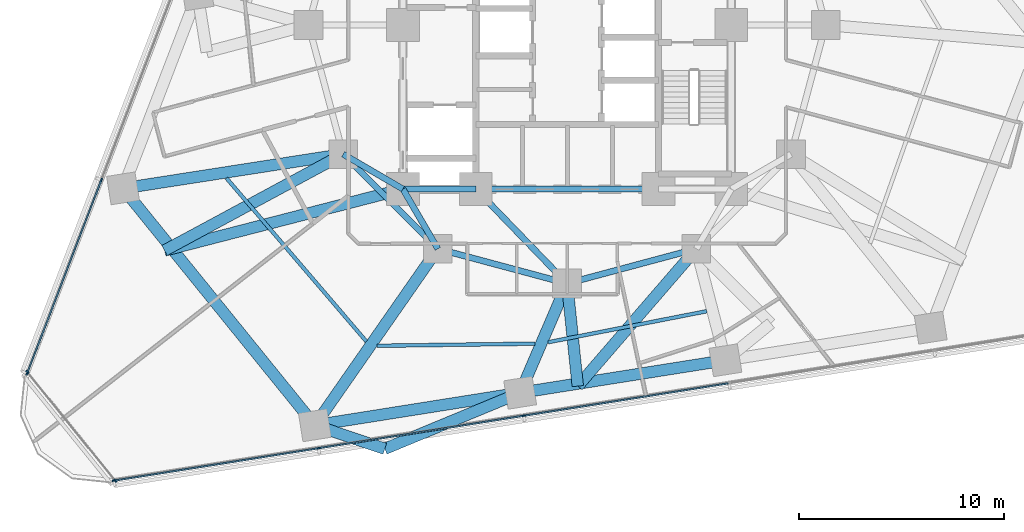
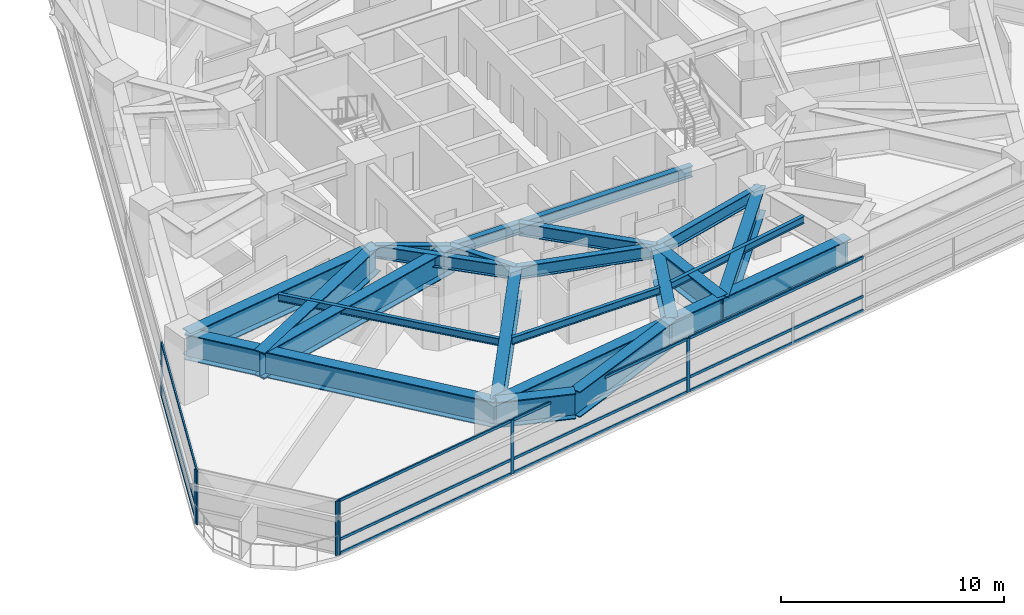
# One storey, part 2 of 13: 23 beams, 19 members, 3 elements without a shape of their own.
"""IFC4 building model written with IfcOpenShell, lengths in metres."""

from ifc_helpers import new_model, si_unit, direction, frame, origin, origin_2d, place, context, subcontext, project, spatial, rectangle, i_section, extrude, material, layer, layer_set, material_profile, profile_set, type_object, element, aggregate, save


model = new_model("IFC4")

# Units and contexts
model_context = context("Model", 3, precision=1e-05, world=origin(), true_north=direction((0.0, 1.0)))
body_context = subcontext(model_context, "Body", "Model", "MODEL_VIEW")
ifc_project = project(units=[si_unit("LENGTHUNIT", "METRE"), si_unit("AREAUNIT", "SQUARE_METRE"), si_unit("VOLUMEUNIT", "CUBIC_METRE"), si_unit("PLANEANGLEUNIT", "RADIAN"), si_unit("MASSUNIT", "GRAM", prefix="KILO")], contexts=[model_context])

# Site, building, storey
site_placement = place(None, origin())
site = spatial("IfcSite", under=ifc_project, at=site_placement, CompositionType="ELEMENT")
building_placement = place(site_placement, origin())
building = spatial("IfcBuilding", under=site, at=building_placement, Name="Terralouvre Media Tower", CompositionType="ELEMENT")
storey_placement = place(building_placement, frame((0.0, 0.0, 81.5)))
storey = spatial("IfcBuildingStorey", under=building, at=storey_placement, Name="L20", CompositionType="ELEMENT", Elevation=81.5)

# Beams
ifc_material_1 = material(Name="Structural steel S355J2", Category="steel")
ifc_material_profile_1 = material_profile(ifc_material_1, i_section(OverallWidth=0.179931640625, OverallDepth=0.39990234375, WebThickness=0.008544921875, FlangeThickness=0.013427734375, at=origin_2d()), Name="IPE 400")
ifc_profile_set_1 = profile_set([ifc_material_profile_1], Name="Structural steel S355J2")
beam_type_1 = type_object("IfcBeamType", Name="Composite Floor Joist J-IPE400 (IPE 400)", PredefinedType="JOIST", material=ifc_profile_set_1)
beam_1_placement = place(storey_placement, frame((-16.599609375, -7.46484375, 3.260009765625), z_axis=(0.65056303543, -0.759452261128, 0.0), x_axis=(0.759452261128, 0.65056303543, 0.0)))
element("IfcBeam", 1, at=beam_1_placement, inside=storey, type_object=beam_type_1, Name="L20 Framing Beam JT-L20-01", PredefinedType="JOIST", context=body_context, shape_type="SweptSolid", body=[
    extrude(i_section(OverallWidth=0.179931640625, OverallDepth=0.39990234375, WebThickness=0.008544921875, FlangeThickness=0.013427734375, at=origin_2d()), origin(), (0.0, 0.0, 1.0), 10.4794921875),
])
beam_2_placement = place(storey_placement, frame((-9.252685546875, -15.63720703125, 3.260009765625), z_axis=(0.99990983748, 0.01342821326, 0.0), x_axis=(-0.01342821326, 0.99990983748, 0.0)))
element("IfcBeam", 2, at=beam_2_placement, inside=storey, type_object=beam_type_1, Name="L20 Framing Beam JT-L20-02", PredefinedType="JOIST", context=body_context, shape_type="SweptSolid", body=[
    extrude(i_section(OverallWidth=0.179931640625, OverallDepth=0.39990234375, WebThickness=0.008544921875, FlangeThickness=0.013427734375, at=origin_2d()), origin(), (0.0, 0.0, 1.0), 7.690673828125),
])
beam_3_placement = place(storey_placement, frame((-0.927490234375, -15.46533203125, 3.260009765625), z_axis=(0.981392020202, 0.192014850162, 0.0), x_axis=(-0.192014850162, 0.981392020202, 0.0)))
element("IfcBeam", 3, at=beam_3_placement, inside=storey, type_object=beam_type_1, Name="L20 Framing Beam JT-L20-03", PredefinedType="JOIST", context=body_context, shape_type="SweptSolid", body=[
    extrude(i_section(OverallWidth=0.179931640625, OverallDepth=0.39990234375, WebThickness=0.008544921875, FlangeThickness=0.013427734375, at=origin_2d()), origin(), (0.0, 0.0, 1.0), 7.87939453125),
])

# Curtain wall, members
ifc_material_2 = material(Name="Low-iron laminated double glazing with solar-control coating", Category="glass")
ifc_layer_1 = layer(ifc_material_2, 0.1650390625, Name="Lower Media Tower Unitised Curtain Wall CW-02")
ifc_layer_set_1 = layer_set([ifc_layer_1], Name="Low-iron laminated double glazing with solar-control coating")
curtain_wall_type_1 = type_object("IfcCurtainWallType", Name="Lower Media Tower Unitised Curtain Wall CW-02", PredefinedType="NOTDEFINED", material=ifc_layer_set_1)
curtain_wall_1_placement = place(storey_placement, origin())
curtain_wall_1 = element("IfcCurtainWall", 4, at=curtain_wall_1_placement, inside=storey, type_object=curtain_wall_type_1, Name="L20 Facade Curtain Wall F0", PredefinedType="NOTDEFINED")
ifc_material_3 = material(Name="Anodised extruded aluminium 6063-T6", Category="aluminium")
ifc_material_profile_2 = material_profile(ifc_material_3, rectangle(XDim=0.074951171875, YDim=0.14990234375, at=origin_2d()), Name="ALU 75x150")
ifc_profile_set_2 = profile_set([ifc_material_profile_2], Name="Anodised extruded aluminium 6063-T6")
member_type_1 = type_object("IfcMemberType", Name="Curtain-Wall Horizontal Transom TR-150", PredefinedType="USERDEFINED", material=ifc_profile_set_2)
member_1_placement = place(storey_placement, frame((-22.04345703125, -22.2001953125, 0.03759765625), z_axis=(0.987689925264, 0.15642445951, 0.0), x_axis=(-0.15642445951, 0.987689925264, 0.0)))
member_1 = element("IfcMember", 5, at=member_1_placement, type_object=member_type_1, Name="CW-02 transom 1.1", ObjectType="TRANSOM", PredefinedType="USERDEFINED", context=body_context, shape_type="SweptSolid", body=[
    extrude(rectangle(XDim=0.074951171875, YDim=0.14990234375, at=origin_2d()), origin(), (0.0, 0.0, 1.0), 10.015380859375),
])
member_2_placement = place(storey_placement, frame((-22.04345703125, -22.2001953125, 0.800048828125), z_axis=(0.987689925264, 0.15642445951, 0.0), x_axis=(-0.15642445951, 0.987689925264, 0.0)))
member_2 = element("IfcMember", 6, at=member_2_placement, type_object=member_type_1, Name="CW-02 transom 1.2", ObjectType="TRANSOM", PredefinedType="USERDEFINED", context=body_context, shape_type="SweptSolid", body=[
    extrude(rectangle(XDim=0.074951171875, YDim=0.14990234375, at=origin_2d()), origin(), (0.0, 0.0, 1.0), 10.015380859375),
])
member_3_placement = place(storey_placement, frame((-22.04345703125, -22.2001953125, 2.922607421875), z_axis=(0.987689925264, 0.15642445951, 0.0), x_axis=(-0.15642445951, 0.987689925264, 0.0)))
member_3 = element("IfcMember", 7, at=member_3_placement, type_object=member_type_1, Name="CW-02 transom 1.3", ObjectType="TRANSOM", PredefinedType="USERDEFINED", context=body_context, shape_type="SweptSolid", body=[
    extrude(rectangle(XDim=0.074951171875, YDim=0.14990234375, at=origin_2d()), origin(), (0.0, 0.0, 1.0), 10.015380859375),
])
member_4_placement = place(storey_placement, frame((-12.0771484375, -20.62158203125, 0.03759765625), z_axis=(0.987690198625, 0.156422733448, 0.0), x_axis=(-0.156422733448, 0.987690198625, 0.0)))
member_4 = element("IfcMember", 8, at=member_4_placement, type_object=member_type_1, Name="CW-02 transom 2.1", ObjectType="TRANSOM", PredefinedType="USERDEFINED", context=body_context, shape_type="SweptSolid", body=[
    extrude(rectangle(XDim=0.074951171875, YDim=0.14990234375, at=origin_2d()), origin(), (0.0, 0.0, 1.0), 10.052978515625),
])
member_5_placement = place(storey_placement, frame((-12.0771484375, -20.62158203125, 0.800048828125), z_axis=(0.987690198625, 0.156422733448, 0.0), x_axis=(-0.156422733448, 0.987690198625, 0.0)))
member_5 = element("IfcMember", 9, at=member_5_placement, type_object=member_type_1, Name="CW-02 transom 2.2", ObjectType="TRANSOM", PredefinedType="USERDEFINED", context=body_context, shape_type="SweptSolid", body=[
    extrude(rectangle(XDim=0.074951171875, YDim=0.14990234375, at=origin_2d()), origin(), (0.0, 0.0, 1.0), 10.052978515625),
])
member_6_placement = place(storey_placement, frame((-12.0771484375, -20.62158203125, 2.922607421875), z_axis=(0.987690198625, 0.156422733448, 0.0), x_axis=(-0.156422733448, 0.987690198625, 0.0)))
member_6 = element("IfcMember", 10, at=member_6_placement, type_object=member_type_1, Name="CW-02 transom 2.3", ObjectType="TRANSOM", PredefinedType="USERDEFINED", context=body_context, shape_type="SweptSolid", body=[
    extrude(rectangle(XDim=0.074951171875, YDim=0.14990234375, at=origin_2d()), origin(), (0.0, 0.0, 1.0), 10.052978515625),
])
member_7_placement = place(storey_placement, frame((-2.073974609375, -19.037353515625, 0.03759765625), z_axis=(0.987686446318, 0.156446424568, 0.0), x_axis=(-0.156446424568, 0.987686446318, 0.0)))
member_7 = element("IfcMember", 11, at=member_7_placement, type_object=member_type_1, Name="CW-02 transom 3.1", ObjectType="TRANSOM", PredefinedType="USERDEFINED", context=body_context, shape_type="SweptSolid", body=[
    extrude(rectangle(XDim=0.074951171875, YDim=0.14990234375, at=origin_2d()), origin(), (0.0, 0.0, 1.0), 10.052978515625),
])
member_8_placement = place(storey_placement, frame((-2.073974609375, -19.037353515625, 0.800048828125), z_axis=(0.987686446318, 0.156446424568, 0.0), x_axis=(-0.156446424568, 0.987686446318, 0.0)))
member_8 = element("IfcMember", 12, at=member_8_placement, type_object=member_type_1, Name="CW-02 transom 3.2", ObjectType="TRANSOM", PredefinedType="USERDEFINED", context=body_context, shape_type="SweptSolid", body=[
    extrude(rectangle(XDim=0.074951171875, YDim=0.14990234375, at=origin_2d()), origin(), (0.0, 0.0, 1.0), 10.052978515625),
])
member_9_placement = place(storey_placement, frame((-2.073974609375, -19.037353515625, 2.922607421875), z_axis=(0.987686446318, 0.156446424568, 0.0), x_axis=(-0.156446424568, 0.987686446318, 0.0)))
member_9 = element("IfcMember", 13, at=member_9_placement, type_object=member_type_1, Name="CW-02 transom 3.3", ObjectType="TRANSOM", PredefinedType="USERDEFINED", context=body_context, shape_type="SweptSolid", body=[
    extrude(rectangle(XDim=0.074951171875, YDim=0.14990234375, at=origin_2d()), origin(), (0.0, 0.0, 1.0), 10.052978515625),
])

curtain_wall_2_placement = place(storey_placement, origin())
curtain_wall_2 = element("IfcCurtainWall", 14, at=curtain_wall_2_placement, inside=storey, type_object=curtain_wall_type_1, Name="L20 Facade Curtain Wall F2", PredefinedType="NOTDEFINED")
member_10_placement = place(storey_placement, frame((-22.708984375, -7.595947265625, 0.03759765625), z_axis=(-0.358363173116, -0.933582259983, 0.0), x_axis=(0.933582259983, -0.358363173116, 0.0)))
member_10 = element("IfcMember", 15, at=member_10_placement, type_object=member_type_1, Name="CW-02 transom 5.1", ObjectType="TRANSOM", PredefinedType="USERDEFINED", context=body_context, shape_type="SweptSolid", body=[
    extrude(rectangle(XDim=0.074951171875, YDim=0.14990234375, at=origin_2d()), origin(), (0.0, 0.0, 1.0), 10.015380859375),
])
member_11_placement = place(storey_placement, frame((-22.708984375, -7.595947265625, 0.800048828125), z_axis=(-0.358363173116, -0.933582259983, 0.0), x_axis=(0.933582259983, -0.358363173116, 0.0)))
member_11 = element("IfcMember", 16, at=member_11_placement, type_object=member_type_1, Name="CW-02 transom 5.2", ObjectType="TRANSOM", PredefinedType="USERDEFINED", context=body_context, shape_type="SweptSolid", body=[
    extrude(rectangle(XDim=0.074951171875, YDim=0.14990234375, at=origin_2d()), origin(), (0.0, 0.0, 1.0), 10.015380859375),
])
member_12_placement = place(storey_placement, frame((-22.708984375, -7.595947265625, 2.922607421875), z_axis=(-0.358363173116, -0.933582259983, 0.0), x_axis=(0.933582259983, -0.358363173116, 0.0)))
member_12 = element("IfcMember", 17, at=member_12_placement, type_object=member_type_1, Name="CW-02 transom 5.3", ObjectType="TRANSOM", PredefinedType="USERDEFINED", context=body_context, shape_type="SweptSolid", body=[
    extrude(rectangle(XDim=0.074951171875, YDim=0.14990234375, at=origin_2d()), origin(), (0.0, 0.0, 1.0), 10.015380859375),
])

# Member
ifc_material_4 = material(Name="Anodised extruded aluminium 6063-T6", Category="aluminium")
ifc_material_profile_3 = material_profile(ifc_material_4, rectangle(XDim=0.074951171875, YDim=0.179931640625, at=origin_2d()), Name="ALU 75x180")
ifc_profile_set_3 = profile_set([ifc_material_profile_3], Name="Anodised extruded aluminium 6063-T6")
member_type_2 = type_object("IfcMemberType", Name="Curtain-Wall Vertical Mullion ML-180", PredefinedType="MULLION", material=ifc_profile_set_3)
member_13_placement = place(storey_placement, frame((-22.08056640625, -22.2060546875, 0.0), z_axis=(0.0, 0.0, 1.0), x_axis=(-0.156434462903, 0.987688340934, 0.0)))
member_13 = element("IfcMember", 18, at=member_13_placement, type_object=member_type_2, Name="CW-02 mullion 1", PredefinedType="MULLION", context=body_context, shape_type="SweptSolid", body=[
    extrude(rectangle(XDim=0.074951171875, YDim=0.179931640625, at=origin_2d()), origin(), (0.0, 0.0, 1.0), 2.9599609375),
])

member_14_placement = place(storey_placement, frame((-12.1142578125, -20.62744140625, 0.0), z_axis=(0.0, 0.0, 1.0), x_axis=(-0.156434462903, 0.987688340934, 0.0)))
member_14 = element("IfcMember", 19, at=member_14_placement, type_object=member_type_2, Name="CW-02 mullion 2", PredefinedType="MULLION", context=body_context, shape_type="SweptSolid", body=[
    extrude(rectangle(XDim=0.074951171875, YDim=0.179931640625, at=origin_2d()), origin(), (0.0, 0.0, 1.0), 2.9599609375),
])

member_15_placement = place(storey_placement, frame((-2.111083984375, -19.043212890625, 0.0), z_axis=(0.0, 0.0, 1.0), x_axis=(-0.156434462903, 0.987688340934, 0.0)))
member_15 = element("IfcMember", 20, at=member_15_placement, type_object=member_type_2, Name="CW-02 mullion 3", PredefinedType="MULLION", context=body_context, shape_type="SweptSolid", body=[
    extrude(rectangle(XDim=0.074951171875, YDim=0.179931640625, at=origin_2d()), origin(), (0.0, 0.0, 1.0), 2.9599609375),
])

aggregate(curtain_wall_1, [member_13, member_14, member_15, member_1, member_2, member_3, member_4, member_5, member_6, member_7, member_8, member_9])

member_16_placement = place(storey_placement, frame((-22.695556640625, -7.560791015625, 0.0), z_axis=(0.0, 0.0, 1.0), x_axis=(0.933580438988, -0.358367917006, 0.0)))
member_16 = element("IfcMember", 21, at=member_16_placement, type_object=member_type_2, Name="CW-02 mullion 5", PredefinedType="MULLION", context=body_context, shape_type="SweptSolid", body=[
    extrude(rectangle(XDim=0.074951171875, YDim=0.179931640625, at=origin_2d()), origin(), (0.0, 0.0, 1.0), 2.9599609375),
])

member_17_placement = place(storey_placement, frame((-26.3115234375, -16.981201171875, 0.0), z_axis=(0.0, 0.0, 1.0), x_axis=(0.933580438988, -0.358367917006, 0.0)))
member_17 = element("IfcMember", 22, at=member_17_placement, type_object=member_type_2, Name="CW-02 mullion 6", PredefinedType="MULLION", context=body_context, shape_type="SweptSolid", body=[
    extrude(rectangle(XDim=0.074951171875, YDim=0.179931640625, at=origin_2d()), origin(), (0.0, 0.0, 1.0), 2.9599609375),
])

aggregate(curtain_wall_2, [member_16, member_17, member_10, member_11, member_12])

# Curtain wall, members
ifc_material_5 = material(Name="Low-iron laminated double glazing with solar-control coating", Category="glass")
ifc_layer_2 = layer(ifc_material_5, 0.1650390625, Name="Rounded Wind-Corner Curved Glazing CW-04")
ifc_layer_set_2 = layer_set([ifc_layer_2], Name="Low-iron laminated double glazing with solar-control coating")
curtain_wall_type_2 = type_object("IfcCurtainWallType", Name="Rounded Wind-Corner Curved Glazing CW-04", PredefinedType="NOTDEFINED", material=ifc_layer_set_2)
curtain_wall_3_placement = place(storey_placement, origin())
curtain_wall_3 = element("IfcCurtainWall", 23, at=curtain_wall_3_placement, inside=storey, type_object=curtain_wall_type_2, Name="L20 Rounded Wind-Corner Curtain Wall C0", PredefinedType="NOTDEFINED")
member_18_placement = place(storey_placement, frame((-26.3046875, -16.9140625, 0.0), z_axis=(0.0, 0.0, 1.0), x_axis=(0.777146252262, 0.629320031936, 0.0)))
member_18 = element("IfcMember", 24, at=member_18_placement, type_object=member_type_2, Name="CW-04 mullion 1", PredefinedType="MULLION", context=body_context, shape_type="SweptSolid", body=[
    extrude(rectangle(XDim=0.074951171875, YDim=0.179931640625, at=origin_2d()), origin(), (0.0, 0.0, 1.0), 2.9599609375),
])
member_19_placement = place(storey_placement, frame((-22.013671875, -22.213134765625, 0.0), z_axis=(0.0, 0.0, 1.0), x_axis=(0.777146252262, 0.629320031936, 0.0)))
member_19 = element("IfcMember", 25, at=member_19_placement, type_object=member_type_2, Name="CW-04 mullion 2", PredefinedType="MULLION", context=body_context, shape_type="SweptSolid", body=[
    extrude(rectangle(XDim=0.074951171875, YDim=0.179931640625, at=origin_2d()), origin(), (0.0, 0.0, 1.0), 2.9599609375),
])
aggregate(curtain_wall_3, [member_18, member_19])

# Beams
ifc_material_6 = material(Name="Structural steel S460M", Category="steel")
ifc_material_profile_4 = material_profile(ifc_material_6, i_section(OverallWidth=0.300048828125, OverallDepth=0.60009765625, WebThickness=0.015380859375, FlangeThickness=0.030029296875, at=origin_2d()), Name="HEB 600")
ifc_profile_set_4 = profile_set([ifc_material_profile_4], Name="Structural steel S460M")
beam_type_2 = type_object("IfcBeamType", Name="Primary Floor Girder B-HEB600 (HEB 600)", PredefinedType="BEAM", material=ifc_profile_set_4)
beam_4_placement = place(storey_placement, frame((-8.0, -8.0, 3.159912109375), z_axis=(1.0, 0.0, 0.0), x_axis=(0.0, 1.0, 0.0)))
element("IfcBeam", 26, at=beam_4_placement, inside=storey, type_object=beam_type_2, Name="L20 Framing Beam BM-L20-CPR01", PredefinedType="BEAM", context=body_context, shape_type="SweptSolid", body=[
    extrude(i_section(OverallWidth=0.300048828125, OverallDepth=0.60009765625, WebThickness=0.015380859375, FlangeThickness=0.030029296875, at=origin_2d()), origin(), (0.0, 0.0, 1.0), 3.550048828125),
])
beam_5_placement = place(storey_placement, frame((-4.449951171875, -8.0, 3.159912109375), z_axis=(1.0, 0.0, 0.0), x_axis=(0.0, 1.0, 0.0)))
element("IfcBeam", 27, at=beam_5_placement, inside=storey, type_object=beam_type_2, Name="L20 Framing Beam BM-L20-CPR02", PredefinedType="BEAM", context=body_context, shape_type="SweptSolid", body=[
    extrude(i_section(OverallWidth=0.300048828125, OverallDepth=0.60009765625, WebThickness=0.015380859375, FlangeThickness=0.030029296875, at=origin_2d()), origin(), (0.0, 0.0, 1.0), 8.89990234375),
])
ifc_material_7 = material(Name="Structural steel S460M", Category="steel")
ifc_material_profile_5 = material_profile(ifc_material_7, i_section(OverallWidth=0.300048828125, OverallDepth=0.699951171875, WebThickness=0.01708984375, FlangeThickness=0.031982421875, at=origin_2d()), Name="HEB 700")
ifc_profile_set_5 = profile_set([ifc_material_profile_5], Name="Structural steel S460M")
beam_type_3 = type_object("IfcBeamType", Name="Primary Floor Girder B-HEB700 (HEB 700)", PredefinedType="BEAM", material=ifc_profile_set_5)
beam_6_placement = place(storey_placement, frame((-10.911865234375, -6.300048828125, 3.110107421875), z_axis=(0.707106781187, -0.707106781187, 0.0), x_axis=(0.707106781187, 0.707106781187, 0.0)))
element("IfcBeam", 28, at=beam_6_placement, inside=storey, type_object=beam_type_3, Name="L20 Framing Beam BM-L20-MR01", PredefinedType="BEAM", context=body_context, shape_type="SweptSolid", body=[
    extrude(i_section(OverallWidth=0.300048828125, OverallDepth=0.699951171875, WebThickness=0.01708984375, FlangeThickness=0.031982421875, at=origin_2d()), origin(), (0.0, 0.0, 1.0), 6.52197265625),
])
for number, where, z_axis, x_axis, name in (
    (29, (-6.300048828125, -10.911865234375, 3.110107421875), (0.965920481897, -0.258838989821, 0.0), (0.258838989821, 0.965920481897, 0.0), "L20 Framing Beam BM-L20-MR02"),
    (30, (0.0, -12.60009765625, 3.110107421875), (0.965920481897, 0.258838989821, 0.0), (-0.258838989821, 0.965920481897, 0.0), "L20 Framing Beam BM-L20-MR03"),
):
    element("IfcBeam", number, at=place(storey_placement, frame(where, z_axis=z_axis, x_axis=x_axis)), inside=storey, type_object=beam_type_3, Name=name, PredefinedType="BEAM", context=body_context, shape_type="SweptSolid", body=[
        extrude(i_section(OverallWidth=0.300048828125, OverallDepth=0.699951171875, WebThickness=0.01708984375, FlangeThickness=0.031982421875, at=origin_2d()), origin(), (0.0, 0.0, 1.0), 6.522216796875),
    ])
for number, where, z_axis, x_axis, name in (
    (31, (-8.0, -8.0, 3.110107421875), (-0.863602894532, 0.504172629717, 0.0), (-0.504172629717, -0.863602894532, 0.0), "L20 Framing Beam BM-L20-CM01"),
    (32, (-8.0, -8.0, 3.110107421875), (0.504172629717, -0.863602894532, 0.0), (0.863602894532, 0.504172629717, 0.0), "L20 Framing Beam BM-L20-CM02"),
):
    element("IfcBeam", number, at=place(storey_placement, frame(where, z_axis=z_axis, x_axis=x_axis)), inside=storey, type_object=beam_type_3, Name=name, PredefinedType="BEAM", context=body_context, shape_type="SweptSolid", body=[
        extrude(i_section(OverallWidth=0.300048828125, OverallDepth=0.699951171875, WebThickness=0.01708984375, FlangeThickness=0.031982421875, at=origin_2d()), origin(), (0.0, 0.0, 1.0), 3.371826171875),
    ])
beam_7_placement = place(storey_placement, frame((-4.449951171875, -8.0, 3.110107421875), z_axis=(0.695279715726, -0.718739255155, 0.0), x_axis=(0.718739255155, 0.695279715726, 0.0)))
element("IfcBeam", 33, at=beam_7_placement, inside=storey, type_object=beam_type_3, Name="L20 Framing Beam BM-L20-CM03", PredefinedType="BEAM", context=body_context, shape_type="SweptSolid", body=[
    extrude(i_section(OverallWidth=0.300048828125, OverallDepth=0.699951171875, WebThickness=0.01708984375, FlangeThickness=0.031982421875, at=origin_2d()), origin(), (0.0, 0.0, 1.0), 6.400146484375),
])
ifc_material_8 = material(Name="Structural steel S460M", Category="steel")
ifc_material_profile_6 = material_profile(ifc_material_8, i_section(OverallWidth=0.56005859375, OverallDepth=1.39990234375, WebThickness=0.031982421875, FlangeThickness=0.050048828125, at=origin_2d()), Name="TG 1400x560")
ifc_profile_set_6 = profile_set([ifc_material_profile_6], Name="Structural steel S460M")
beam_type_4 = type_object("IfcBeamType", Name="Welded Transfer Girder TG-1400 (TG 1400x560)", PredefinedType="USERDEFINED", material=ifc_profile_set_6)
beam_8_placement = place(storey_placement, frame((-21.640625, -7.9658203125, 2.760009765625), z_axis=(0.629325386112, -0.777141916509, 0.0), x_axis=(0.777141916509, 0.629325386112, 0.0)))
element("IfcBeam", 34, at=beam_8_placement, inside=storey, type_object=beam_type_4, Name="L20 Framing Beam BM-L20-PR01", ObjectType="TRANSFER GIRDER", PredefinedType="USERDEFINED", context=body_context, shape_type="SweptSolid", body=[
    extrude(i_section(OverallWidth=0.56005859375, OverallDepth=1.39990234375, WebThickness=0.031982421875, FlangeThickness=0.050048828125, at=origin_2d()), origin(), (0.0, 0.0, 1.0), 14.8564453125),
])
beam_9_placement = place(storey_placement, frame((-12.291015625, -19.511474609375, 2.760009765625), z_axis=(0.987686424887, 0.156446559869, 0.0), x_axis=(-0.156446559869, 0.987686424887, 0.0)))
element("IfcBeam", 35, at=beam_9_placement, inside=storey, type_object=beam_type_4, Name="L20 Framing Beam BM-L20-PR02", ObjectType="TRANSFER GIRDER", PredefinedType="USERDEFINED", context=body_context, shape_type="SweptSolid", body=[
    extrude(i_section(OverallWidth=0.56005859375, OverallDepth=1.39990234375, WebThickness=0.031982421875, FlangeThickness=0.050048828125, at=origin_2d()), origin(), (0.0, 0.0, 1.0), 10.1279296875),
])
beam_10_placement = place(storey_placement, frame((-2.287841796875, -17.927001953125, 2.760009765625), z_axis=(0.987690739256, 0.15641931974, 0.0), x_axis=(-0.15641931974, 0.987690739256, 0.0)))
element("IfcBeam", 36, at=beam_10_placement, inside=storey, type_object=beam_type_4, Name="L20 Framing Beam BM-L20-PR03", ObjectType="TRANSFER GIRDER", PredefinedType="USERDEFINED", context=body_context, shape_type="SweptSolid", body=[
    extrude(i_section(OverallWidth=0.56005859375, OverallDepth=1.39990234375, WebThickness=0.031982421875, FlangeThickness=0.050048828125, at=origin_2d()), origin(), (0.0, 0.0, 1.0), 10.128173828125),
])
beam_11_placement = place(storey_placement, frame((-10.911865234375, -6.300048828125, 2.760009765625), z_axis=(-0.98816044694, -0.153424023881, 0.0), x_axis=(0.153424023881, -0.98816044694, 0.0)))
element("IfcBeam", 37, at=beam_11_placement, inside=storey, type_object=beam_type_4, Name="L20 Framing Beam BM-L20-RD01", ObjectType="TRANSFER GIRDER", PredefinedType="USERDEFINED", context=body_context, shape_type="SweptSolid", body=[
    extrude(i_section(OverallWidth=0.56005859375, OverallDepth=1.39990234375, WebThickness=0.031982421875, FlangeThickness=0.050048828125, at=origin_2d()), origin(), (0.0, 0.0, 1.0), 10.857421875),
])
beam_12_placement = place(storey_placement, frame((-6.300048828125, -10.911865234375, 2.760009765625), z_axis=(-0.571619237268, -0.820519011105, 0.0), x_axis=(0.820519011105, -0.571619237268, 0.0)))
element("IfcBeam", 38, at=beam_12_placement, inside=storey, type_object=beam_type_4, Name="L20 Framing Beam BM-L20-RD02", ObjectType="TRANSFER GIRDER", PredefinedType="USERDEFINED", context=body_context, shape_type="SweptSolid", body=[
    extrude(i_section(OverallWidth=0.56005859375, OverallDepth=1.39990234375, WebThickness=0.031982421875, FlangeThickness=0.050048828125, at=origin_2d()), origin(), (0.0, 0.0, 1.0), 10.480712890625),
])
beam_13_placement = place(storey_placement, frame((0.0, -12.60009765625, 2.760009765625), z_axis=(-0.394630726641, -0.918839806272, 0.0), x_axis=(0.918839806272, -0.394630726641, 0.0)))
element("IfcBeam", 39, at=beam_13_placement, inside=storey, type_object=beam_type_4, Name="L20 Framing Beam BM-L20-RD03", ObjectType="TRANSFER GIRDER", PredefinedType="USERDEFINED", context=body_context, shape_type="SweptSolid", body=[
    extrude(i_section(OverallWidth=0.56005859375, OverallDepth=1.39990234375, WebThickness=0.031982421875, FlangeThickness=0.050048828125, at=origin_2d()), origin(), (0.0, 0.0, 1.0), 5.79736328125),
])
beam_14_placement = place(storey_placement, frame((-8.883056640625, -20.658203125, 2.760009765625), z_axis=(-0.94778323891, 0.318915242722, 0.0), x_axis=(-0.318915242722, -0.94778323891, 0.0)))
element("IfcBeam", 40, at=beam_14_placement, inside=storey, type_object=beam_type_4, Name="L20 Framing Beam BM-L20-TR01S1", ObjectType="TRANSFER GIRDER", PredefinedType="USERDEFINED", context=body_context, shape_type="SweptSolid", body=[
    extrude(i_section(OverallWidth=0.56005859375, OverallDepth=1.39990234375, WebThickness=0.031982421875, FlangeThickness=0.050048828125, at=origin_2d()), origin(), (0.0, 0.0, 1.0), 3.595703125),
])
beam_15_placement = place(storey_placement, frame((-8.883056640625, -20.658203125, 2.760009765625), z_axis=(0.92391054741, 0.382608547193, 0.0), x_axis=(-0.382608547193, 0.92391054741, 0.0)))
element("IfcBeam", 41, at=beam_15_placement, inside=storey, type_object=beam_type_4, Name="L20 Framing Beam BM-L20-TR01S2", ObjectType="TRANSFER GIRDER", PredefinedType="USERDEFINED", context=body_context, shape_type="SweptSolid", body=[
    extrude(i_section(OverallWidth=0.56005859375, OverallDepth=1.39990234375, WebThickness=0.031982421875, FlangeThickness=0.050048828125, at=origin_2d()), origin(), (0.0, 0.0, 1.0), 7.138427734375),
])
beam_16_placement = place(storey_placement, frame((0.52099609375, -17.6025390625, 2.760009765625), z_axis=(-0.103588076486, 0.994620284536, 0.0), x_axis=(-0.994620284536, -0.103588076486, 0.0)))
element("IfcBeam", 42, at=beam_16_placement, inside=storey, type_object=beam_type_4, Name="L20 Framing Beam BM-L20-TR02S1", ObjectType="TRANSFER GIRDER", PredefinedType="USERDEFINED", context=body_context, shape_type="SweptSolid", body=[
    extrude(i_section(OverallWidth=0.56005859375, OverallDepth=1.39990234375, WebThickness=0.031982421875, FlangeThickness=0.050048828125, at=origin_2d()), origin(), (0.0, 0.0, 1.0), 5.029541015625),
])
beam_17_placement = place(storey_placement, frame((0.52099609375, -17.6025390625, 2.760009765625), z_axis=(0.653668039552, 0.756781404415, 0.0), x_axis=(-0.756781404415, 0.653668039552, 0.0)))
element("IfcBeam", 43, at=beam_17_placement, inside=storey, type_object=beam_type_4, Name="L20 Framing Beam BM-L20-TR02S2", ObjectType="TRANSFER GIRDER", PredefinedType="USERDEFINED", context=body_context, shape_type="SweptSolid", body=[
    extrude(i_section(OverallWidth=0.56005859375, OverallDepth=1.39990234375, WebThickness=0.031982421875, FlangeThickness=0.050048828125, at=origin_2d()), origin(), (0.0, 0.0, 1.0), 8.841064453125),
])
beam_18_placement = place(storey_placement, frame((-19.616455078125, -10.99365234375, 2.760009765625), z_axis=(0.880195882447, 0.47461058619, 0.0), x_axis=(-0.47461058619, 0.880195882447, 0.0)))
element("IfcBeam", 44, at=beam_18_placement, inside=storey, type_object=beam_type_4, Name="L20 Framing Beam BM-L20-TR12S1", ObjectType="TRANSFER GIRDER", PredefinedType="USERDEFINED", context=body_context, shape_type="SweptSolid", body=[
    extrude(i_section(OverallWidth=0.56005859375, OverallDepth=1.39990234375, WebThickness=0.031982421875, FlangeThickness=0.050048828125, at=origin_2d()), origin(), (0.0, 0.0, 1.0), 9.889404296875),
])
beam_19_placement = place(storey_placement, frame((-19.616455078125, -10.99365234375, 2.760009765625), z_axis=(0.968360821323, 0.249554242052, 0.0), x_axis=(-0.249554242052, 0.968360821323, 0.0)))
element("IfcBeam", 45, at=beam_19_placement, inside=storey, type_object=beam_type_4, Name="L20 Framing Beam BM-L20-TR12S2", ObjectType="TRANSFER GIRDER", PredefinedType="USERDEFINED", context=body_context, shape_type="SweptSolid", body=[
    extrude(i_section(OverallWidth=0.56005859375, OverallDepth=1.39990234375, WebThickness=0.031982421875, FlangeThickness=0.050048828125, at=origin_2d()), origin(), (0.0, 0.0, 1.0), 11.99609375),
])

save(model, "model.ifc")
